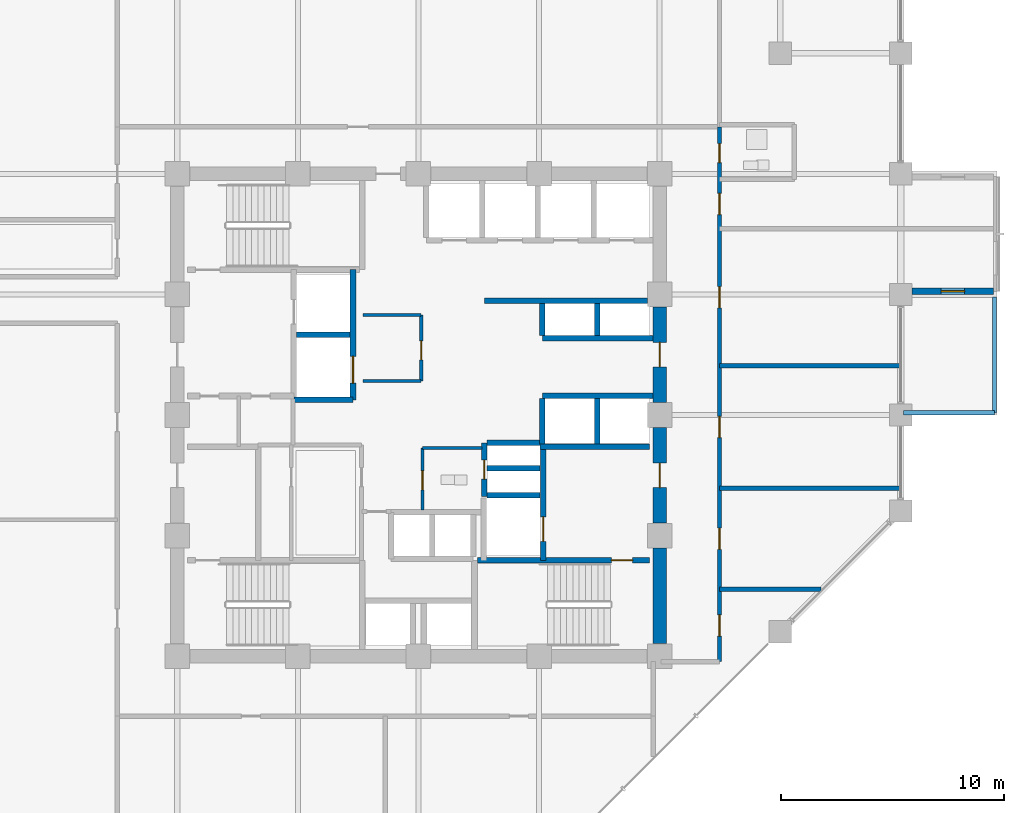
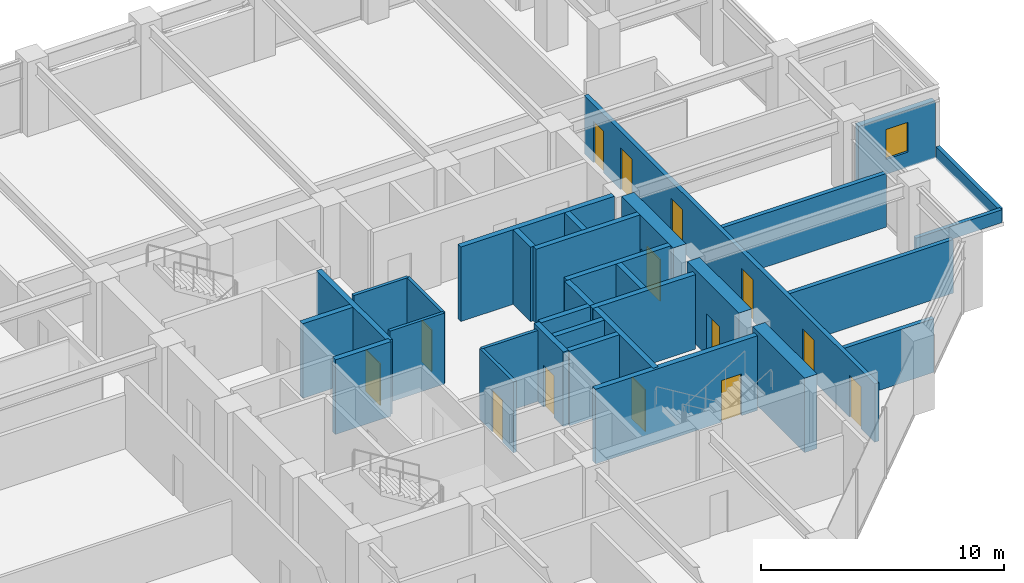
# One storey, part 23 of 29: 32 walls, 14 doors, 1 window, 15 openings.
"""IFC4 building model written with IfcOpenShell, lengths in metres."""

from ifc_helpers import new_model, si_unit, direction, frame, frame_2d, origin, place, context, subcontext, project, spatial, rectangle, extrude, material, layer, layer_set, type_object, element, fill, save


model = new_model("IFC4")

# Units and contexts
model_context = context("Model", 3, precision=1e-05, world=origin(), true_north=direction((0.0, 1.0)))
body_context = subcontext(model_context, "Body", "Model", "MODEL_VIEW")
ifc_project = project(units=[si_unit("LENGTHUNIT", "METRE"), si_unit("AREAUNIT", "SQUARE_METRE"), si_unit("VOLUMEUNIT", "CUBIC_METRE"), si_unit("PLANEANGLEUNIT", "RADIAN"), si_unit("MASSUNIT", "GRAM", prefix="KILO")], contexts=[model_context])

# Site, building, storey
site_placement = place(None, origin())
site = spatial("IfcSite", under=ifc_project, at=site_placement, CompositionType="ELEMENT")
building_placement = place(site_placement, origin())
building = spatial("IfcBuilding", under=site, at=building_placement, Name="Surkhivell Harbour Commons", CompositionType="ELEMENT")
storey_placement = place(building_placement, frame((0.0, 0.0, 150.75)))
storey = spatial("IfcBuildingStorey", under=building, at=storey_placement, Name="L39", CompositionType="ELEMENT", Elevation=150.75)

# Wall
ifc_material_1 = material(Name="Concrete C60/75", Category="concrete")
ifc_layer_1 = layer(ifc_material_1, 0.60009765625)
ifc_layer_set_1 = layer_set([ifc_layer_1], Name="Concrete C60/75")
wall_type_1 = type_object("IfcWallType", Name="WAL-CORE-600", PredefinedType="SHEAR", material=ifc_layer_set_1)
wall_1_placement = place(storey_placement, frame((10.800048828125, -10.239990234375, 0.0), z_axis=(0.0, 0.0, 1.0), x_axis=(0.0, 1.0, 0.0)))
element("IfcWall", 1, at=wall_1_placement, inside=storey, type_object=wall_type_1, Name="L39 Core Shear Wall East 1", PredefinedType="SHEAR", context=body_context, shape_type="SweptSolid", body=[
    extrude(rectangle(XDim=4.280029296875, YDim=0.60009765625, at=frame_2d((2.14013671875, 0.0))), origin(), (0.0, 0.0, 1.0), 3.75),
])

# Wall, opening, door
wall_2_placement = place(storey_placement, frame((10.800048828125, -4.840087890625, 0.0), z_axis=(0.0, 0.0, 1.0), x_axis=(0.0, 1.0, 0.0)))
wall_2 = element("IfcWall", 2, at=wall_2_placement, inside=storey, type_object=wall_type_1, Name="L39 Core Shear Wall East 2", PredefinedType="SHEAR", context=body_context, shape_type="SweptSolid", body=[
    extrude(rectangle(XDim=4.280029296875, YDim=0.60009765625, at=frame_2d((2.14013671875, 0.0))), origin(), (0.0, 0.0, 1.0), 3.75),
])
opening_1_placement = place(wall_2_placement, frame((1.590087890625, 0.0, 0.0)))
opening_1 = element("IfcOpeningElement", 3, at=opening_1_placement, cuts=wall_2, Name="Opening ID-1", PredefinedType="OPENING", context=body_context, shape_type="SweptSolid", body=[
    extrude(rectangle(XDim=1.10009765625, YDim=2.10009765625, at=frame_2d((0.550048828125, 1.050048828125))), frame((0.0, 0.31005859375, 0.0), z_axis=(0.0, -1.0, 0.0), x_axis=(1.0, 0.0, 0.0)), (0.0, 0.0, 1.0), 0.6201171875),
])
ifc_material_2 = material(Name="Hardwood-veneered fire-rated door leaf", Category="wood")
door_type_1 = type_object("IfcDoorType", Name="DOR-FD120-1100", OperationType="NOTDEFINED", PredefinedType="DOOR", material=ifc_material_2)
door_1_placement = place(opening_1_placement, origin())
door_1 = element("IfcDoor", 4, at=door_1_placement, inside=storey, type_object=door_type_1, Name="L39 Firefighting Lobby 2 Corridor Door", OperationType="SINGLE_SWING_RIGHT", OverallHeight=2.10009765625, OverallWidth=1.10009765625, PredefinedType="DOOR", context=body_context, shape_type="SweptSolid", body=[
    extrude(rectangle(XDim=1.10009765625, YDim=2.10009765625, at=frame_2d((0.550048828125, 1.050048828125))), frame((0.0, 0.02490234375, 0.0), z_axis=(0.0, -1.0, 0.0), x_axis=(1.0, 0.0, 0.0)), (0.0, 0.0, 1.0), 0.050048828125),
])
fill(opening_1, door_1)

wall_3_placement = place(storey_placement, frame((10.800048828125, 0.56005859375, 0.0), z_axis=(0.0, 0.0, 1.0), x_axis=(0.0, 1.0, 0.0)))
wall_3 = element("IfcWall", 5, at=wall_3_placement, inside=storey, type_object=wall_type_1, Name="L39 Core Shear Wall East 3", PredefinedType="SHEAR", context=body_context, shape_type="SweptSolid", body=[
    extrude(rectangle(XDim=4.280029296875, YDim=0.60009765625, at=frame_2d((2.14013671875, 0.0))), origin(), (0.0, 0.0, 1.0), 3.75),
])
opening_2_placement = place(wall_3_placement, frame((1.590087890625, 0.0, 0.0)))
opening_2 = element("IfcOpeningElement", 6, at=opening_2_placement, cuts=wall_3, Name="Opening ID-2", PredefinedType="OPENING", context=body_context, shape_type="SweptSolid", body=[
    extrude(rectangle(XDim=1.10009765625, YDim=2.10009765625, at=frame_2d((0.550048828125, 1.050048828125))), frame((0.0, 0.31005859375, 0.0), z_axis=(0.0, -1.0, 0.0), x_axis=(1.0, 0.0, 0.0)), (0.0, 0.0, 1.0), 0.6201171875),
])
door_type_2 = type_object("IfcDoorType", Name="DOR-FD60-1100", OperationType="NOTDEFINED", PredefinedType="DOOR", material=ifc_material_2)
door_2_placement = place(opening_2_placement, origin())
door_2 = element("IfcDoor", 7, at=door_2_placement, inside=storey, type_object=door_type_2, Name="L39 Mid-Rise Lobby East Door", OperationType="SINGLE_SWING_LEFT", OverallHeight=2.10009765625, OverallWidth=1.10009765625, PredefinedType="DOOR", context=body_context, shape_type="SweptSolid", body=[
    extrude(rectangle(XDim=1.10009765625, YDim=2.10009765625, at=frame_2d((0.550048828125, 1.050048828125))), frame((0.0, 0.02490234375, 0.0), z_axis=(0.0, -1.0, 0.0), x_axis=(1.0, 0.0, 0.0)), (0.0, 0.0, 1.0), 0.050048828125),
])
fill(opening_2, door_2)

# Wall, opening, window
ifc_material_3 = material(Name="Terracotta-clad reinforced concrete C45/55", Category="masonry")
ifc_layer_2 = layer(ifc_material_3, 0.280029296875)
ifc_layer_set_2 = layer_set([ifc_layer_2], Name="Terracotta-clad reinforced concrete C45/55")
wall_type_2 = type_object("IfcWallType", Name="WAL-EXT-TER280", PredefinedType="STANDARD", material=ifc_layer_set_2)
wall_4_placement = place(storey_placement, frame((22.10400390625, 5.5400390625, 0.0), z_axis=(0.0, 0.0, 1.0), x_axis=(1.0, 0.0, 0.0)))
wall_4 = element("IfcWall", 8, at=wall_4_placement, inside=storey, type_object=wall_type_2, Name="L39 Coloured Box Return Wall 01S", PredefinedType="STANDARD", context=body_context, shape_type="SweptSolid", body=[
    extrude(rectangle(XDim=3.656005859375, YDim=0.280029296875, at=frame_2d((1.828125, 0.0))), origin(), (0.0, 0.0, 1.0), 2.85693359375),
])
opening_3_placement = place(wall_4_placement, frame((1.302978515625, 0.0, 0.75)))
opening_3 = element("IfcOpeningElement", 9, at=opening_3_placement, cuts=wall_4, Name="Opening WN-11", PredefinedType="OPENING", context=body_context, shape_type="SweptSolid", body=[
    extrude(rectangle(XDim=1.050048828125, YDim=1.5, at=frame_2d((0.52490234375, 0.75))), frame((0.0, 0.14990234375, 0.0), z_axis=(0.0, -1.0, 0.0), x_axis=(1.0, 0.0, 0.0)), (0.0, 0.0, 1.0), 0.300048828125),
])
ifc_material_4 = material(Name="Thermal-break aluminium frame and double low-E glazing", Category="aluminium")
window_type = type_object("IfcWindowType", Name="WIN-SER-1050x1500", PartitioningType="SINGLE_PANEL", PredefinedType="WINDOW", material=ifc_material_4)
window_placement = place(opening_3_placement, origin())
window = element("IfcWindow", 10, at=window_placement, inside=storey, type_object=window_type, Name="L39 Coloured Box Return Window 01S", OverallHeight=1.5, OverallWidth=1.050048828125, PartitioningType="SINGLE_PANEL", PredefinedType="WINDOW", context=body_context, shape_type="SweptSolid", body=[
    extrude(rectangle(XDim=1.050048828125, YDim=1.5, at=frame_2d((0.52490234375, 0.75))), frame((0.0, 0.030029296875, 0.0), z_axis=(0.0, -1.0, 0.0), x_axis=(1.0, 0.0, 0.0)), (0.0, 0.0, 1.0), 0.06005859375),
])
fill(opening_3, window)

# Wall
ifc_material_5 = material(Name="Twin-stud acoustic fireboard partition", Category="other")
ifc_layer_3 = layer(ifc_material_5, 0.14990234375)
ifc_layer_set_3 = layer_set([ifc_layer_3], Name="Twin-stud acoustic fireboard partition")
wall_type_3 = type_object("IfcWallType", Name="WAL-INT-150", PredefinedType="PARTITIONING", material=ifc_layer_set_3)
wall_5_placement = place(storey_placement, frame((0.179931640625, -1.47998046875, 0.0), z_axis=(0.0, 0.0, 1.0), x_axis=(1.0, 0.0, 0.0)))
element("IfcWall", 11, at=wall_5_placement, inside=storey, type_object=wall_type_3, Name="L39 Core Accessible WC North Wall", PredefinedType="PARTITIONING", context=body_context, shape_type="SweptSolid", body=[
    extrude(rectangle(XDim=2.670166015625, YDim=0.14990234375, at=frame_2d((1.3349609375, 0.0))), origin(), (0.0, 0.0, 1.0), 3.570068359375),
])

# Wall, opening, door
wall_6_placement = place(storey_placement, frame((0.179931640625, -4.25, 0.0), z_axis=(0.0, 0.0, 1.0), x_axis=(0.0, 1.0, 0.0)))
wall_6 = element("IfcWall", 12, at=wall_6_placement, inside=storey, type_object=wall_type_3, Name="L39 Core Accessible WC West Wall", PredefinedType="PARTITIONING", context=body_context, shape_type="SweptSolid", body=[
    extrude(rectangle(XDim=2.77001953125, YDim=0.14990234375, at=frame_2d((1.385009765625, 0.0))), origin(), (0.0, 0.0, 1.0), 3.570068359375),
])
opening_4_placement = place(wall_6_placement, frame((0.89990234375, 0.0, 0.0)))
opening_4 = element("IfcOpeningElement", 13, at=opening_4_placement, cuts=wall_6, Name="Opening ID-6", PredefinedType="OPENING", context=body_context, shape_type="SweptSolid", body=[
    extrude(rectangle(XDim=0.85009765625, YDim=2.10009765625, at=frame_2d((0.425048828125, 1.050048828125))), frame((0.0, 0.0849609375, 0.0), z_axis=(0.0, -1.0, 0.0), x_axis=(1.0, 0.0, 0.0)), (0.0, 0.0, 1.0), 0.169921875),
])
door_type_3 = type_object("IfcDoorType", Name="DOR-FD30-850", OperationType="NOTDEFINED", PredefinedType="DOOR", material=ifc_material_2)
door_3_placement = place(opening_4_placement, origin())
door_3 = element("IfcDoor", 14, at=door_3_placement, inside=storey, type_object=door_type_3, Name="L39 Floor Accessible WC Door", OperationType="SINGLE_SWING_LEFT", OverallHeight=2.10009765625, OverallWidth=0.85009765625, PredefinedType="DOOR", context=body_context, shape_type="SweptSolid", body=[
    extrude(rectangle(XDim=0.85009765625, YDim=2.10009765625, at=frame_2d((0.425048828125, 1.050048828125))), frame((0.0, 0.02490234375, 0.0), z_axis=(0.0, -1.0, 0.0), x_axis=(1.0, 0.0, 0.0)), (0.0, 0.0, 1.0), 0.050048828125),
])
fill(opening_4, door_3)

wall_7_placement = place(storey_placement, frame((0.1201171875, 1.52001953125, 0.0), z_axis=(0.0, 0.0, 1.0), x_axis=(0.0, 1.0, 0.0)))
wall_7 = element("IfcWall", 15, at=wall_7_placement, inside=storey, type_object=wall_type_3, Name="L39 Central Reading East Wall", PredefinedType="PARTITIONING", context=body_context, shape_type="SweptSolid", body=[
    extrude(rectangle(XDim=2.9599609375, YDim=0.14990234375, at=frame_2d((1.47998046875, 0.0))), origin(), (0.0, 0.0, 1.0), 3.570068359375),
])
opening_5_placement = place(wall_7_placement, frame((0.949951171875, 0.0, 0.0)))
opening_5 = element("IfcOpeningElement", 16, at=opening_5_placement, cuts=wall_7, Name="Opening ID-6", PredefinedType="OPENING", context=body_context, shape_type="SweptSolid", body=[
    extrude(rectangle(XDim=0.85009765625, YDim=2.10009765625, at=frame_2d((0.425048828125, 1.050048828125))), frame((0.0, 0.0849609375, 0.0), z_axis=(0.0, -1.0, 0.0), x_axis=(1.0, 0.0, 0.0)), (0.0, 0.0, 1.0), 0.169921875),
])
door_4_placement = place(opening_5_placement, origin())
door_4 = element("IfcDoor", 17, at=door_4_placement, inside=storey, type_object=door_type_3, Name="L39 Central Core Reading Door", OperationType="SINGLE_SWING_RIGHT", OverallHeight=2.10009765625, OverallWidth=0.85009765625, PredefinedType="DOOR", context=body_context, shape_type="SweptSolid", body=[
    extrude(rectangle(XDim=0.85009765625, YDim=2.10009765625, at=frame_2d((0.425048828125, 1.050048828125))), frame((0.0, 0.02490234375, 0.0), z_axis=(0.0, -1.0, 0.0), x_axis=(1.0, 0.0, 0.0)), (0.0, 0.0, 1.0), 0.050048828125),
])
fill(opening_5, door_4)

# Walls
for number, where, z_axis, x_axis, name in (
    (18, (-2.47998046875, 4.47998046875, 0.0), (0.0, 0.0, 1.0), (1.0, 0.0, 0.0), "L39 Central Reading North Wall"),
    (19, (-2.47998046875, 1.52001953125, 0.0), (0.0, 0.0, 1.0), (1.0, 0.0, 0.0), "L39 Central Reading South Wall"),
):
    element("IfcWall", number, at=place(storey_placement, frame(where, z_axis=z_axis, x_axis=x_axis)), inside=storey, type_object=wall_type_3, Name=name, PredefinedType="PARTITIONING", context=body_context, shape_type="SweptSolid", body=[
        extrude(rectangle(XDim=2.60009765625, YDim=0.14990234375, at=frame_2d((1.300048828125, 0.0))), origin(), (0.0, 0.0, 1.0), 3.570068359375),
    ])

# Wall, openings, doors
ifc_material_6 = material(Name="Autoclaved aerated concrete blockwork and fire plaster", Category="masonry")
ifc_layer_4 = layer(ifc_material_6, 0.199951171875)
ifc_layer_set_4 = layer_set([ifc_layer_4], Name="Autoclaved aerated concrete blockwork and fire plaster")
wall_type_4 = type_object("IfcWallType", Name="WAL-INT-200", PredefinedType="PARTITIONING", material=ifc_layer_set_4)
wall_8_placement = place(storey_placement, frame((13.47998046875, -11.0400390625, 0.0), z_axis=(0.0, 0.0, 1.0), x_axis=(0.0, 1.0, 0.0)))
wall_8 = element("IfcWall", 20, at=wall_8_placement, inside=storey, type_object=wall_type_4, Name="L39 Corridor East Wall", PredefinedType="PARTITIONING", context=body_context, shape_type="SweptSolid", body=[
    extrude(rectangle(XDim=23.93994140625, YDim=0.199951171875, at=frame_2d((11.969970703125, 0.0))), origin(), (0.0, 0.0, 1.0), 2.93310546875),
])
opening_6_placement = place(wall_8_placement, frame((1.139892578125, 0.0, 0.0)))
opening_6 = element("IfcOpeningElement", 21, at=opening_6_placement, cuts=wall_8, Name="Opening ID-4", PredefinedType="OPENING", context=body_context, shape_type="SweptSolid", body=[
    extrude(rectangle(XDim=0.949951171875, YDim=2.10009765625, at=frame_2d((0.47509765625, 1.050048828125))), frame((0.0, 0.10986328125, 0.0), z_axis=(0.0, -1.0, 0.0), x_axis=(1.0, 0.0, 0.0)), (0.0, 0.0, 1.0), 0.219970703125),
])
opening_7_placement = place(wall_8_placement, frame((22.344970703125, 0.0, 0.0)))
opening_7 = element("IfcOpeningElement", 22, at=opening_7_placement, cuts=wall_8, Name="Opening ID-6", PredefinedType="OPENING", context=body_context, shape_type="SweptSolid", body=[
    extrude(rectangle(XDim=0.85009765625, YDim=2.10009765625, at=frame_2d((0.425048828125, 1.050048828125))), frame((0.0, 0.10986328125, 0.0), z_axis=(0.0, -1.0, 0.0), x_axis=(1.0, 0.0, 0.0)), (0.0, 0.0, 1.0), 0.219970703125),
])
opening_8_placement = place(wall_8_placement, frame((20.010009765625, 0.0, 0.0)))
opening_8 = element("IfcOpeningElement", 23, at=opening_8_placement, cuts=wall_8, Name="Opening ID-4", PredefinedType="OPENING", context=body_context, shape_type="SweptSolid", body=[
    extrude(rectangle(XDim=0.949951171875, YDim=2.10009765625, at=frame_2d((0.47509765625, 1.050048828125))), frame((0.0, 0.10986328125, 0.0), z_axis=(0.0, -1.0, 0.0), x_axis=(1.0, 0.0, 0.0)), (0.0, 0.0, 1.0), 0.219970703125),
])
opening_9_placement = place(wall_8_placement, frame((5.02001953125, 0.0, 0.0)))
opening_9 = element("IfcOpeningElement", 24, at=opening_9_placement, cuts=wall_8, Name="Opening ID-4", PredefinedType="OPENING", context=body_context, shape_type="SweptSolid", body=[
    extrude(rectangle(XDim=0.949951171875, YDim=2.10009765625, at=frame_2d((0.47509765625, 1.050048828125))), frame((0.0, 0.10986328125, 0.0), z_axis=(0.0, -1.0, 0.0), x_axis=(1.0, 0.0, 0.0)), (0.0, 0.0, 1.0), 0.219970703125),
])
opening_10_placement = place(wall_8_placement, frame((10.02490234375, 0.0, 0.0)))
opening_10 = element("IfcOpeningElement", 25, at=opening_10_placement, cuts=wall_8, Name="Opening ID-4", PredefinedType="OPENING", context=body_context, shape_type="SweptSolid", body=[
    extrude(rectangle(XDim=0.949951171875, YDim=2.10009765625, at=frame_2d((0.47509765625, 1.050048828125))), frame((0.0, 0.10986328125, 0.0), z_axis=(0.0, -1.0, 0.0), x_axis=(1.0, 0.0, 0.0)), (0.0, 0.0, 1.0), 0.219970703125),
])
opening_11_placement = place(wall_8_placement, frame((15.840087890625, 0.0, 0.0)))
opening_11 = element("IfcOpeningElement", 26, at=opening_11_placement, cuts=wall_8, Name="Opening ID-4", PredefinedType="OPENING", context=body_context, shape_type="SweptSolid", body=[
    extrude(rectangle(XDim=0.949951171875, YDim=2.10009765625, at=frame_2d((0.47509765625, 1.050048828125))), frame((0.0, 0.10986328125, 0.0), z_axis=(0.0, -1.0, 0.0), x_axis=(1.0, 0.0, 0.0)), (0.0, 0.0, 1.0), 0.219970703125),
])
door_5_placement = place(opening_7_placement, origin())
door_5 = element("IfcDoor", 27, at=door_5_placement, inside=storey, type_object=door_type_3, Name="L39 Communal Shower Bathroom East Door", OperationType="SINGLE_SWING_LEFT", OverallHeight=2.10009765625, OverallWidth=0.85009765625, PredefinedType="DOOR", context=body_context, shape_type="SweptSolid", body=[
    extrude(rectangle(XDim=0.85009765625, YDim=2.10009765625, at=frame_2d((0.425048828125, 1.050048828125))), frame((0.0, 0.02490234375, 0.0), z_axis=(0.0, -1.0, 0.0), x_axis=(1.0, 0.0, 0.0)), (0.0, 0.0, 1.0), 0.050048828125),
])
fill(opening_7, door_5)
door_type_4 = type_object("IfcDoorType", Name="DOR-FD60-950", OperationType="NOTDEFINED", PredefinedType="DOOR", material=ifc_material_2)
door_6_placement = place(opening_6_placement, origin())
door_6 = element("IfcDoor", 28, at=door_6_placement, inside=storey, type_object=door_type_4, Name="L39 Shared Communal Kitchen East Door", OperationType="SINGLE_SWING_RIGHT", OverallHeight=2.10009765625, OverallWidth=0.949951171875, PredefinedType="DOOR", context=body_context, shape_type="SweptSolid", body=[
    extrude(rectangle(XDim=0.949951171875, YDim=2.10009765625, at=frame_2d((0.47509765625, 1.050048828125))), frame((0.0, 0.02490234375, 0.0), z_axis=(0.0, -1.0, 0.0), x_axis=(1.0, 0.0, 0.0)), (0.0, 0.0, 1.0), 0.050048828125),
])
fill(opening_6, door_6)
door_7_placement = place(opening_8_placement, origin())
door_7 = element("IfcDoor", 29, at=door_7_placement, inside=storey, type_object=door_type_4, Name="L39 Academic Reading Commons East Door", OperationType="SINGLE_SWING_RIGHT", OverallHeight=2.10009765625, OverallWidth=0.949951171875, PredefinedType="DOOR", context=body_context, shape_type="SweptSolid", body=[
    extrude(rectangle(XDim=0.949951171875, YDim=2.10009765625, at=frame_2d((0.47509765625, 1.050048828125))), frame((0.0, 0.02490234375, 0.0), z_axis=(0.0, -1.0, 0.0), x_axis=(1.0, 0.0, 0.0)), (0.0, 0.0, 1.0), 0.050048828125),
])
fill(opening_8, door_7)
door_8_placement = place(opening_9_placement, origin())
door_8 = element("IfcDoor", 30, at=door_8_placement, inside=storey, type_object=door_type_4, Name="L39 Hostel Cluster Bedroom 1 East Door", OperationType="SINGLE_SWING_LEFT", OverallHeight=2.10009765625, OverallWidth=0.949951171875, PredefinedType="DOOR", context=body_context, shape_type="SweptSolid", body=[
    extrude(rectangle(XDim=0.949951171875, YDim=2.10009765625, at=frame_2d((0.47509765625, 1.050048828125))), frame((0.0, 0.02490234375, 0.0), z_axis=(0.0, -1.0, 0.0), x_axis=(1.0, 0.0, 0.0)), (0.0, 0.0, 1.0), 0.050048828125),
])
fill(opening_9, door_8)
door_9_placement = place(opening_10_placement, origin())
door_9 = element("IfcDoor", 31, at=door_9_placement, inside=storey, type_object=door_type_4, Name="L39 Co-Living Dormitory Bedroom 2 East Door", OperationType="SINGLE_SWING_RIGHT", OverallHeight=2.10009765625, OverallWidth=0.949951171875, PredefinedType="DOOR", context=body_context, shape_type="SweptSolid", body=[
    extrude(rectangle(XDim=0.949951171875, YDim=2.10009765625, at=frame_2d((0.47509765625, 1.050048828125))), frame((0.0, 0.02490234375, 0.0), z_axis=(0.0, -1.0, 0.0), x_axis=(1.0, 0.0, 0.0)), (0.0, 0.0, 1.0), 0.050048828125),
])
fill(opening_10, door_9)
door_10_placement = place(opening_11_placement, origin())
door_10 = element("IfcDoor", 32, at=door_10_placement, inside=storey, type_object=door_type_4, Name="L39 Hostel Cluster Bedroom 3 East Door", OperationType="SINGLE_SWING_LEFT", OverallHeight=2.10009765625, OverallWidth=0.949951171875, PredefinedType="DOOR", context=body_context, shape_type="SweptSolid", body=[
    extrude(rectangle(XDim=0.949951171875, YDim=2.10009765625, at=frame_2d((0.47509765625, 1.050048828125))), frame((0.0, 0.02490234375, 0.0), z_axis=(0.0, -1.0, 0.0), x_axis=(1.0, 0.0, 0.0)), (0.0, 0.0, 1.0), 0.050048828125),
])
fill(opening_11, door_10)

# Walls
for number, where, z_axis, x_axis, name in (
    (33, (13.47998046875, -3.280029296875, 0.0), (0.0, 0.0, 1.0), (1.0, 0.0, 0.0), "L39 East Partition BDP1"),
    (34, (13.47998046875, 2.2099609375, 0.0), (0.0, 0.0, 1.0), (1.0, 0.0, 0.0), "L39 East Partition BDP2"),
):
    element("IfcWall", number, at=place(storey_placement, frame(where, z_axis=z_axis, x_axis=x_axis)), inside=storey, type_object=wall_type_4, Name=name, PredefinedType="PARTITIONING", context=body_context, shape_type="SweptSolid", body=[
        extrude(rectangle(XDim=8.06005859375, YDim=0.199951171875, at=frame_2d((4.030029296875, 0.0))), origin(), (0.0, 0.0, 1.0), 2.698974609375),
    ])
wall_9_placement = place(storey_placement, frame((13.47998046875, -7.800048828125, 0.0), z_axis=(0.0, 0.0, 1.0), x_axis=(1.0, 0.0, 0.0)))
element("IfcWall", 35, at=wall_9_placement, inside=storey, type_object=wall_type_4, Name="L39 East Partition PBOT", PredefinedType="PARTITIONING", context=body_context, shape_type="SweptSolid", body=[
    extrude(rectangle(XDim=4.53515625, YDim=0.199951171875, at=frame_2d((2.267578125, 0.0))), origin(), (0.0, 0.0, 1.0), 2.698974609375),
])
ifc_material_7 = material(Name="Anodised aluminium and precast concrete C40/50", Category="concrete")
ifc_layer_5 = layer(ifc_material_7, 0.18505859375)
ifc_layer_set_5 = layer_set([ifc_layer_5], Name="Anodised aluminium and precast concrete C40/50")
wall_type_5 = type_object("IfcWallType", Name="WAL-PAR-185", PredefinedType="PARAPET", material=ifc_layer_set_5)
wall_10_placement = place(storey_placement, frame((21.719970703125, 0.10009765625, 0.0), z_axis=(0.0, 0.0, 1.0), x_axis=(1.0, 0.0, 0.0)))
element("IfcWall", 36, at=wall_10_placement, inside=storey, type_object=wall_type_5, Name="L39 Box Roof Coping Parapet 1-1", PredefinedType="PARAPET", context=body_context, shape_type="SweptSolid", body=[
    extrude(rectangle(XDim=4.080078125, YDim=0.18505859375, at=frame_2d((2.0400390625, 0.0))), origin(), (0.0, 0.0, 1.0), 0.64990234375),
])
wall_11_placement = place(storey_placement, frame((25.800048828125, 0.10009765625, 0.0), z_axis=(0.0, 0.0, 1.0), x_axis=(0.0, 1.0, 0.0)))
element("IfcWall", 37, at=wall_11_placement, inside=storey, type_object=wall_type_5, Name="L39 Box Roof Coping Parapet 1-2", PredefinedType="PARAPET", context=body_context, shape_type="SweptSolid", body=[
    extrude(rectangle(XDim=5.179931640625, YDim=0.18505859375, at=frame_2d((2.58984375, 0.0))), origin(), (0.0, 0.0, 1.0), 0.64990234375),
])
ifc_material_8 = material(Name="Concrete C50/60", Category="concrete")
ifc_layer_6 = layer(ifc_material_8, 0.25)
ifc_layer_set_6 = layer_set([ifc_layer_6], Name="Concrete C50/60")
wall_type_6 = type_object("IfcWallType", Name="WAL-SHAFT-250", PredefinedType="SHEAR", material=ifc_layer_set_6)
wall_12_placement = place(storey_placement, frame((5.43994140625, -1.419921875, 0.0), z_axis=(0.0, 0.0, 1.0), x_axis=(1.0, 0.0, 0.0)))
element("IfcWall", 38, at=wall_12_placement, inside=storey, type_object=wall_type_6, Name="L39 Firefighting Lobby 2 North Wall", PredefinedType="SHEAR", context=body_context, shape_type="SweptSolid", body=[
    extrude(rectangle(XDim=4.900146484375, YDim=0.25, at=frame_2d((2.4501953125, 0.0))), origin(), (0.0, 0.0, 1.0), 3.75),
])
wall_13_placement = place(storey_placement, frame((3.080078125, -3.60009765625, 0.0), z_axis=(0.0, 0.0, 1.0), x_axis=(1.0, 0.0, 0.0)))
element("IfcWall", 39, at=wall_13_placement, inside=storey, type_object=wall_type_6, Name="L39 FFL2 North Shaft Wall", PredefinedType="SHEAR", context=body_context, shape_type="SweptSolid", body=[
    extrude(rectangle(XDim=2.369873046875, YDim=0.25, at=frame_2d((1.18505859375, 0.0))), origin(), (0.0, 0.0, 1.0), 3.75),
])

# Wall, opening, door
wall_14_placement = place(storey_placement, frame((5.580078125, -6.510009765625, 0.0), z_axis=(0.0, 0.0, 1.0), x_axis=(0.0, 1.0, 0.0)))
wall_14 = element("IfcWall", 40, at=wall_14_placement, inside=storey, type_object=wall_type_6, Name="L39 Firefighting Lobby 2 West Shaft Wall", PredefinedType="SHEAR", context=body_context, shape_type="SweptSolid", body=[
    extrude(rectangle(XDim=5.090087890625, YDim=0.25, at=frame_2d((2.544921875, 0.0))), origin(), (0.0, 0.0, 1.0), 3.75),
])
opening_12_placement = place(wall_14_placement, frame((0.85009765625, 0.0, 0.0)))
opening_12 = element("IfcOpeningElement", 41, at=opening_12_placement, cuts=wall_14, Name="Opening LD-1", PredefinedType="OPENING", context=body_context, shape_type="SweptSolid", body=[
    extrude(rectangle(XDim=1.10009765625, YDim=2.10009765625, at=frame_2d((0.550048828125, 1.050048828125))), frame((0.0, 0.135009765625, 0.0), z_axis=(0.0, -1.0, 0.0), x_axis=(1.0, 0.0, 0.0)), (0.0, 0.0, 1.0), 0.27001953125),
])
ifc_material_9 = material(Name="Brushed stainless steel S355", Category="steel")
door_type_5 = type_object("IfcDoorType", Name="DOR-LD-1100", OperationType="SLIDING_TO_LEFT", PredefinedType="DOOR", material=ifc_material_9)
door_11_placement = place(opening_12_placement, origin())
door_11 = element("IfcDoor", 42, at=door_11_placement, inside=storey, type_object=door_type_5, Name="L39 Lift Landing Door LD-FFL2", OperationType="SLIDING_TO_RIGHT", OverallHeight=2.10009765625, OverallWidth=1.10009765625, PredefinedType="DOOR", context=body_context, shape_type="SweptSolid", body=[
    extrude(rectangle(XDim=1.10009765625, YDim=2.10009765625, at=frame_2d((0.550048828125, 1.050048828125))), frame((0.0, 0.02490234375, 0.0), z_axis=(0.0, -1.0, 0.0), x_axis=(1.0, 0.0, 0.0)), (0.0, 0.0, 1.0), 0.050048828125),
])
fill(opening_12, door_11)

# Walls
wall_15_placement = place(storey_placement, frame((2.949951171875, 5.1201171875, 0.0), z_axis=(0.0, 0.0, 1.0), x_axis=(1.0, 0.0, 0.0)))
element("IfcWall", 43, at=wall_15_placement, inside=storey, type_object=wall_type_6, Name="L39 Low-Rise Lobby South Wall", PredefinedType="SHEAR", context=body_context, shape_type="SweptSolid", body=[
    extrude(rectangle(XDim=7.300048828125, YDim=0.25, at=frame_2d((3.64990234375, 0.0))), origin(), (0.0, 0.0, 1.0), 3.75),
])
for number, where, z_axis, x_axis, name in (
    (44, (5.550048828125, 3.550048828125, 0.0), (0.0, 0.0, 1.0), (0.0, 1.0, 0.0), "L39 Mid-Rise Shaft Side Wall N"),
    (45, (8.0, 3.550048828125, 0.0), (0.0, 0.0, 1.0), (0.0, 1.0, 0.0), "L39 Mid-Rise Shaft Side Wall N"),
):
    element("IfcWall", number, at=place(storey_placement, frame(where, z_axis=z_axis, x_axis=x_axis)), inside=storey, type_object=wall_type_6, Name=name, PredefinedType="SHEAR", context=body_context, shape_type="SweptSolid", body=[
        extrude(rectangle(XDim=1.449951171875, YDim=0.25, at=frame_2d((0.72509765625, 0.0))), origin(), (0.0, 0.0, 1.0), 3.75),
    ])
for number, where, z_axis, x_axis, name in (
    (46, (5.550048828125, -1.300048828125, 0.0), (0.0, 0.0, 1.0), (0.0, 1.0, 0.0), "L39 Mid-Rise Shaft Side Wall S"),
    (47, (8.0, -1.300048828125, 0.0), (0.0, 0.0, 1.0), (0.0, 1.0, 0.0), "L39 Mid-Rise Shaft Side Wall S"),
):
    element("IfcWall", number, at=place(storey_placement, frame(where, z_axis=z_axis, x_axis=x_axis)), inside=storey, type_object=wall_type_6, Name=name, PredefinedType="SHEAR", context=body_context, shape_type="SweptSolid", body=[
        extrude(rectangle(XDim=2.0400390625, YDim=0.25, at=frame_2d((1.02001953125, 0.0))), origin(), (0.0, 0.0, 1.0), 3.75),
    ])
for number, where, z_axis, x_axis, name in (
    (48, (5.550048828125, 3.429931640625, 0.0), (0.0, 0.0, 1.0), (1.0, 0.0, 0.0), "L39 Mid-Rise North Front Shaft Wall"),
    (49, (5.550048828125, 0.8701171875, 0.0), (0.0, 0.0, 1.0), (1.0, 0.0, 0.0), "L39 Mid-Rise South Front Shaft Wall"),
):
    element("IfcWall", number, at=place(storey_placement, frame(where, z_axis=z_axis, x_axis=x_axis)), inside=storey, type_object=wall_type_6, Name=name, PredefinedType="SHEAR", context=body_context, shape_type="SweptSolid", body=[
        extrude(rectangle(XDim=4.949951171875, YDim=0.25, at=frame_2d((2.47509765625, 0.0))), origin(), (0.0, 0.0, 1.0), 3.75),
    ])
for number, where, z_axis, x_axis, name in (
    (50, (3.080078125, -2.3798828125, 0.0), (0.0, 0.0, 1.0), (1.0, 0.0, 0.0), "L39 Riser Divider Wall"),
    (51, (3.080078125, -1.25, 0.0), (0.0, 0.0, 1.0), (1.0, 0.0, 0.0), "L39 Riser North Wall"),
):
    element("IfcWall", number, at=place(storey_placement, frame(where, z_axis=z_axis, x_axis=x_axis)), inside=storey, type_object=wall_type_6, Name=name, PredefinedType="SHEAR", context=body_context, shape_type="SweptSolid", body=[
        extrude(rectangle(XDim=2.369873046875, YDim=0.25, at=frame_2d((1.18505859375, 0.0))), origin(), (0.0, 0.0, 1.0), 3.75),
    ])

# Wall, opening, door
wall_16_placement = place(storey_placement, frame((2.949951171875, -3.64990234375, 0.0), z_axis=(0.0, 0.0, 1.0), x_axis=(0.0, 1.0, 0.0)))
wall_16 = element("IfcWall", 52, at=wall_16_placement, inside=storey, type_object=wall_type_6, Name="L39 Riser Shaft West Wall", PredefinedType="SHEAR", context=body_context, shape_type="SweptSolid", body=[
    extrude(rectangle(XDim=2.39990234375, YDim=0.25, at=frame_2d((1.199951171875, 0.0))), origin(), (0.0, 0.0, 1.0), 3.75),
])
opening_13_placement = place(wall_16_placement, frame((0.77490234375, 0.0, 0.0)))
opening_13 = element("IfcOpeningElement", 53, at=opening_13_placement, cuts=wall_16, Name="Opening ID-6", PredefinedType="OPENING", context=body_context, shape_type="SweptSolid", body=[
    extrude(rectangle(XDim=0.85009765625, YDim=2.10009765625, at=frame_2d((0.425048828125, 1.050048828125))), frame((0.0, 0.135009765625, 0.0), z_axis=(0.0, -1.0, 0.0), x_axis=(1.0, 0.0, 0.0)), (0.0, 0.0, 1.0), 0.27001953125),
])
door_12_placement = place(opening_13_placement, origin())
door_12 = element("IfcDoor", 54, at=door_12_placement, inside=storey, type_object=door_type_3, Name="L39 Electrical Riser Access Door", OperationType="SINGLE_SWING_LEFT", OverallHeight=2.10009765625, OverallWidth=0.85009765625, PredefinedType="DOOR", context=body_context, shape_type="SweptSolid", body=[
    extrude(rectangle(XDim=0.85009765625, YDim=2.10009765625, at=frame_2d((0.425048828125, 1.050048828125))), frame((0.0, 0.02490234375, 0.0), z_axis=(0.0, -1.0, 0.0), x_axis=(1.0, 0.0, 0.0)), (0.0, 0.0, 1.0), 0.050048828125),
])
fill(opening_13, door_12)

wall_17_placement = place(storey_placement, frame((2.639892578125, -6.510009765625, 0.0), z_axis=(0.0, 0.0, 1.0), x_axis=(1.0, 0.0, 0.0)))
wall_17 = element("IfcWall", 55, at=wall_17_placement, inside=storey, type_object=wall_type_6, Name="L39 Stair ST2 North Shear Wall", PredefinedType="SHEAR", context=body_context, shape_type="SweptSolid", body=[
    extrude(rectangle(XDim=7.7001953125, YDim=0.25, at=frame_2d((3.85009765625, 0.0))), origin(), (0.0, 0.0, 1.0), 3.75),
])
opening_14_placement = place(wall_17_placement, frame((6.0, 0.0, 0.0)))
opening_14 = element("IfcOpeningElement", 56, at=opening_14_placement, cuts=wall_17, Name="Opening ID-4", PredefinedType="OPENING", context=body_context, shape_type="SweptSolid", body=[
    extrude(rectangle(XDim=0.949951171875, YDim=2.10009765625, at=frame_2d((0.47509765625, 1.050048828125))), frame((0.0, 0.135009765625, 0.0), z_axis=(0.0, -1.0, 0.0), x_axis=(1.0, 0.0, 0.0)), (0.0, 0.0, 1.0), 0.27001953125),
])
door_13_placement = place(opening_14_placement, origin())
door_13 = element("IfcDoor", 57, at=door_13_placement, inside=storey, type_object=door_type_4, Name="L39 Stair ST2 Exit Door", OperationType="SINGLE_SWING_RIGHT", OverallHeight=2.10009765625, OverallWidth=0.949951171875, PredefinedType="DOOR", context=body_context, shape_type="SweptSolid", body=[
    extrude(rectangle(XDim=0.949951171875, YDim=2.10009765625, at=frame_2d((0.47509765625, 1.050048828125))), frame((0.0, 0.02490234375, 0.0), z_axis=(0.0, -1.0, 0.0), x_axis=(1.0, 0.0, 0.0)), (0.0, 0.0, 1.0), 0.050048828125),
])
fill(opening_14, door_13)

wall_18_placement = place(storey_placement, frame((-2.929931640625, 0.679931640625, 0.0), z_axis=(0.0, 0.0, 1.0), x_axis=(0.0, 1.0, 0.0)))
wall_18 = element("IfcWall", 58, at=wall_18_placement, inside=storey, type_object=wall_type_6, Name="L39 Service and Fire Lift East Shaft Wall", PredefinedType="SHEAR", context=body_context, shape_type="SweptSolid", body=[
    extrude(rectangle(XDim=5.830078125, YDim=0.25, at=frame_2d((2.9150390625, 0.0))), origin(), (0.0, 0.0, 1.0), 3.75),
])
opening_15_placement = place(wall_18_placement, frame((0.75, 0.0, 0.0)))
opening_15 = element("IfcOpeningElement", 59, at=opening_15_placement, cuts=wall_18, Name="Opening LD-2", PredefinedType="OPENING", context=body_context, shape_type="SweptSolid", body=[
    extrude(rectangle(XDim=1.199951171875, YDim=2.10009765625, at=frame_2d((0.60009765625, 1.050048828125))), frame((0.0, 0.135009765625, 0.0), z_axis=(0.0, -1.0, 0.0), x_axis=(1.0, 0.0, 0.0)), (0.0, 0.0, 1.0), 0.27001953125),
])
door_type_6 = type_object("IfcDoorType", Name="DOR-LD-1200", OperationType="SLIDING_TO_LEFT", PredefinedType="DOOR", material=ifc_material_9)
door_14_placement = place(opening_15_placement, origin())
door_14 = element("IfcDoor", 60, at=door_14_placement, inside=storey, type_object=door_type_6, Name="L39 Lift Landing Door LD-SVL1", OperationType="SLIDING_TO_LEFT", OverallHeight=2.10009765625, OverallWidth=1.199951171875, PredefinedType="DOOR", context=body_context, shape_type="SweptSolid", body=[
    extrude(rectangle(XDim=1.199951171875, YDim=2.10009765625, at=frame_2d((0.60009765625, 1.050048828125))), frame((0.0, 0.02490234375, 0.0), z_axis=(0.0, -1.0, 0.0), x_axis=(1.0, 0.0, 0.0)), (0.0, 0.0, 1.0), 0.050048828125),
])
fill(opening_15, door_14)

# Walls
wall_19_placement = place(storey_placement, frame((-5.449951171875, 3.60009765625, 0.0), z_axis=(0.0, 0.0, 1.0), x_axis=(1.0, 0.0, 0.0)))
element("IfcWall", 61, at=wall_19_placement, inside=storey, type_object=wall_type_6, Name="L39 FFL1/SVL1 Shaft Divider", PredefinedType="SHEAR", context=body_context, shape_type="SweptSolid", body=[
    extrude(rectangle(XDim=2.389892578125, YDim=0.25, at=frame_2d((1.19482421875, 0.0))), origin(), (0.0, 0.0, 1.0), 3.75),
])
wall_20_placement = place(storey_placement, frame((-5.580078125, 0.679931640625, 0.0), z_axis=(0.0, 0.0, 1.0), x_axis=(1.0, 0.0, 0.0)))
element("IfcWall", 62, at=wall_20_placement, inside=storey, type_object=wall_type_6, Name="L39 SVL1 South Shaft Wall", PredefinedType="SHEAR", context=body_context, shape_type="SweptSolid", body=[
    extrude(rectangle(XDim=2.650146484375, YDim=0.25, at=frame_2d((1.3251953125, 0.0))), origin(), (0.0, 0.0, 1.0), 3.75),
])

save(model, "model.ifc")
